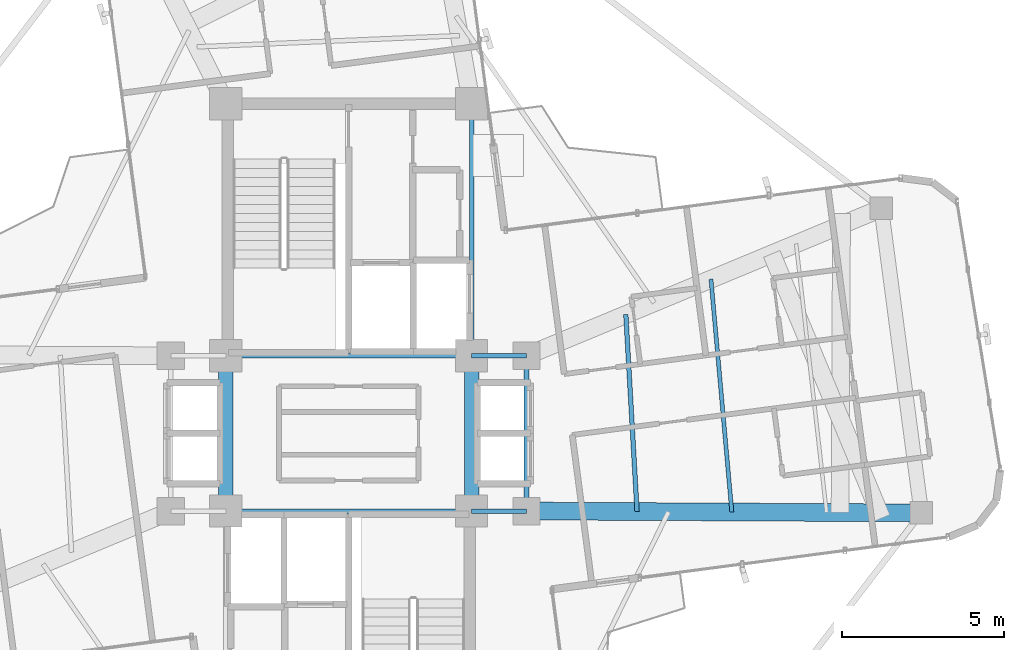
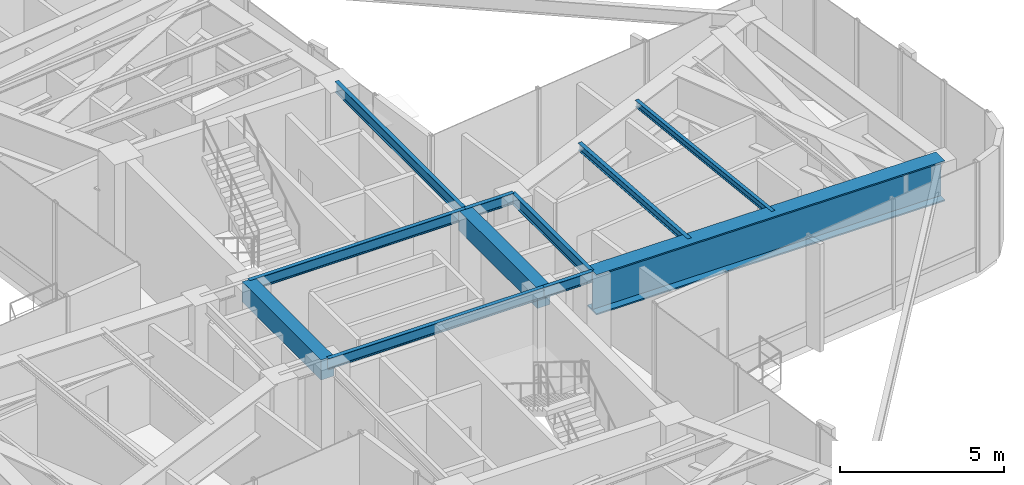
# One storey, part 6 of 18: 11 beams.
"""IFC4 building model written with IfcOpenShell, lengths in metres."""

from ifc_helpers import new_model, si_unit, direction, frame, origin, origin_2d, place, context, subcontext, project, spatial, rectangle, i_section, extrude, source, transform, mapped, material, material_profile, profile_set, type_object, element, save


model = new_model("IFC4")

# Units and contexts
model_context = context("Model", 3, precision=1e-05, world=origin(), true_north=direction((0.0, 1.0)))
body_context = subcontext(model_context, "Body", "Model", "MODEL_VIEW")
ifc_project = project(units=[si_unit("LENGTHUNIT", "METRE"), si_unit("AREAUNIT", "SQUARE_METRE"), si_unit("VOLUMEUNIT", "CUBIC_METRE"), si_unit("PLANEANGLEUNIT", "RADIAN"), si_unit("MASSUNIT", "GRAM", prefix="KILO")], contexts=[model_context])

# Site, building, storey
site_placement = place(None, origin())
site = spatial("IfcSite", under=ifc_project, at=site_placement, CompositionType="ELEMENT")
building_placement = place(site_placement, origin())
building = spatial("IfcBuilding", under=site, at=building_placement, Name="Sahyath Konkavel Grand Hotel", CompositionType="ELEMENT")
storey_placement = place(building_placement, frame((0.0, 0.0, 275.800048828125)))
storey = spatial("IfcBuildingStorey", under=building, at=storey_placement, Name="L77", CompositionType="ELEMENT", Elevation=275.800048828125)

# Beams
ifc_material_1 = material(Name="Steel E350", Category="steel")
ifc_material_profile_1 = material_profile(ifc_material_1, i_section(OverallWidth=0.139892578125, OverallDepth=0.39990234375, WebThickness=0.0087890625, FlangeThickness=0.01611328125, FilletRadius=0.013916015625, at=origin_2d()), Name="ISMB 400")
ifc_profile_set_1 = profile_set([ifc_material_profile_1], Name="Steel E350")
beam_type_1 = type_object("IfcBeamType", Name="BM-ISMB400", PredefinedType="BEAM", material=ifc_profile_set_1)
shared_shape_1 = source(origin(), body_context, "Body", "SweptSolid", [
    extrude(i_section(OverallWidth=0.139892578125, OverallDepth=0.39990234375, WebThickness=0.0087890625, FlangeThickness=0.01611328125, FilletRadius=0.013916015625, at=origin_2d()), origin(), (0.0, 0.0, 1.0), 7.60009765625),
])
for number, where, z_axis, x_axis, name in (
    (1, (-3.800048828125, 2.39990234375, 3.89990234375), (1.0, 0.0, 0.0), (0.0, 1.0, 0.0), "str:bm:L77:NC-S"),
    (2, (-3.800048828125, -2.39990234375, 3.89990234375), (1.0, 0.0, 0.0), (0.0, 1.0, 0.0), "str:bm:L77:SC-N"),
):
    element("IfcBeam", number, at=place(storey_placement, frame(where, z_axis=z_axis, x_axis=x_axis)), inside=storey, type_object=beam_type_1, Name=name, PredefinedType="BEAM", context=body_context, shape_type="MappedRepresentation", body=[
        mapped(shared_shape_1, transform((0.0, 0.0, 0.0), scale=1.0)),
    ])
shared_shape_2 = source(origin(), body_context, "Body", "SweptSolid", [
    extrude(i_section(OverallWidth=0.139892578125, OverallDepth=0.39990234375, WebThickness=0.0087890625, FlangeThickness=0.01611328125, FilletRadius=0.013916015625, at=origin_2d()), origin(), (0.0, 0.0, 1.0), 7.800048828125),
])
beam_1_placement = place(storey_placement, frame((3.800048828125, 2.39990234375, 3.89990234375), z_axis=(0.0, 1.0, 0.0), x_axis=(-1.0, 0.0, 0.0)))
element("IfcBeam", 3, at=beam_1_placement, inside=storey, type_object=beam_type_1, Name="str:bm:L77:NC-E", PredefinedType="BEAM", context=body_context, shape_type="MappedRepresentation", body=[
    mapped(shared_shape_2, transform((0.0, 0.0, 0.0), scale=1.0)),
])
shared_shape_3 = source(origin(), body_context, "Body", "SweptSolid", [
    extrude(i_section(OverallWidth=0.139892578125, OverallDepth=0.39990234375, WebThickness=0.0087890625, FlangeThickness=0.01611328125, FilletRadius=0.013916015625, at=origin_2d()), origin(), (0.0, 0.0, 1.0), 1.699951171875),
])
for number, where, z_axis, x_axis, name in (
    (4, (3.800048828125, 2.39990234375, 3.89990234375), (1.0, 0.0, 0.0), (0.0, 1.0, 0.0), "str:bm:L77:HB-NE"),
    (5, (3.800048828125, -2.39990234375, 3.89990234375), (1.0, 0.0, 0.0), (0.0, 1.0, 0.0), "str:bm:L77:HB-SE"),
):
    element("IfcBeam", number, at=place(storey_placement, frame(where, z_axis=z_axis, x_axis=x_axis)), inside=storey, type_object=beam_type_1, Name=name, PredefinedType="BEAM", context=body_context, shape_type="MappedRepresentation", body=[
        mapped(shared_shape_3, transform((0.0, 0.0, 0.0), scale=1.0)),
    ])
shared_shape_4 = source(origin(), body_context, "Body", "SweptSolid", [
    extrude(i_section(OverallWidth=0.139892578125, OverallDepth=0.39990234375, WebThickness=0.0087890625, FlangeThickness=0.01611328125, FilletRadius=0.013916015625, at=origin_2d()), origin(), (0.0, 0.0, 1.0), 4.7998046875),
])
beam_2_placement = place(storey_placement, frame((5.5, -2.39990234375, 3.89990234375), z_axis=(0.0, 1.0, 0.0), x_axis=(-1.0, 0.0, 0.0)))
element("IfcBeam", 6, at=beam_2_placement, inside=storey, type_object=beam_type_1, Name="str:bm:L77:HB-E", PredefinedType="BEAM", context=body_context, shape_type="MappedRepresentation", body=[
    mapped(shared_shape_4, transform((0.0, 0.0, 0.0), scale=1.0)),
])
ifc_material_2 = material(Name="Concrete C40/50", Category="concrete")
ifc_material_profile_2 = material_profile(ifc_material_2, rectangle(XDim=0.449951171875, YDim=0.75, at=origin_2d()), Name="RC 450x750")
ifc_profile_set_2 = profile_set([ifc_material_profile_2], Name="Concrete C40/50")
beam_type_2 = type_object("IfcBeamType", Name="BM-CB450x750", PredefinedType="LINTEL", material=ifc_profile_set_2)
shared_shape_5 = source(origin(), body_context, "Body", "SweptSolid", [
    extrude(rectangle(XDim=0.449951171875, YDim=0.75, at=origin_2d()), origin(), (0.0, 0.0, 1.0), 4.7998046875),
])
for number, where, z_axis, x_axis, name in (
    (7, (-3.800048828125, -2.39990234375, 3.724853515625), (0.0, 1.0, 0.0), (-1.0, 0.0, 0.0), "L77 Split-Core Coupling Beam West"),
    (8, (3.800048828125, -2.39990234375, 3.724853515625), (0.0, 1.0, 0.0), (-1.0, 0.0, 0.0), "L77 Split-Core Coupling Beam East"),
):
    element("IfcBeam", number, at=place(storey_placement, frame(where, z_axis=z_axis, x_axis=x_axis)), inside=storey, type_object=beam_type_2, Name=name, PredefinedType="LINTEL", context=body_context, shape_type="MappedRepresentation", body=[
        mapped(shared_shape_5, transform((0.0, 0.0, 0.0), scale=1.0)),
    ])
ifc_material_profile_3 = material_profile(ifc_material_1, i_section(OverallWidth=0.139892578125, OverallDepth=0.27490234375, WebThickness=0.00634765625, FlangeThickness=0.0087890625, FilletRadius=0.012939453125, at=origin_2d()), Name="ISLB 275")
ifc_profile_set_3 = profile_set([ifc_material_profile_3], Name="Steel E350")
beam_type_3 = type_object("IfcBeamType", Name="BM-ISLB275", PredefinedType="BEAM", material=ifc_profile_set_3)
shared_shape_6 = source(origin(), body_context, "Body", "SweptSolid", [
    extrude(i_section(OverallWidth=0.139892578125, OverallDepth=0.27490234375, WebThickness=0.00634765625, FlangeThickness=0.0087890625, FilletRadius=0.012939453125, at=origin_2d()), origin(), (0.0, 0.0, 1.0), 6.10302734375),
])
beam_3_placement = place(storey_placement, frame((8.91943359375, -2.41650390625, 3.96240234375), z_axis=(-0.056883465537, 0.99838082481, 0.0), x_axis=(-0.99838082481, -0.056883465537, 0.0)))
element("IfcBeam", 9, at=beam_3_placement, inside=storey, type_object=beam_type_3, Name="L77 Secondary Floor Beam E-1", PredefinedType="BEAM", context=body_context, shape_type="MappedRepresentation", body=[
    mapped(shared_shape_6, transform((0.0, 0.0, 0.0), scale=1.0)),
])
ifc_material_profile_4 = material_profile(ifc_material_1, i_section(OverallWidth=0.125, OverallDepth=0.25, WebThickness=0.0068359375, FlangeThickness=0.012451171875, FilletRadius=0.012939453125, at=origin_2d()), Name="ISMB 250")
ifc_profile_set_4 = profile_set([ifc_material_profile_4], Name="Steel E350")
beam_type_4 = type_object("IfcBeamType", Name="BM-ISMB250", PredefinedType="BEAM", material=ifc_profile_set_4)
shared_shape_7 = source(origin(), body_context, "Body", "SweptSolid", [
    extrude(i_section(OverallWidth=0.125, OverallDepth=0.25, WebThickness=0.0068359375, FlangeThickness=0.012451171875, FilletRadius=0.012939453125, at=origin_2d()), origin(), (0.0, 0.0, 1.0), 7.23046875),
])
beam_4_placement = place(storey_placement, frame((11.8505859375, -2.4306640625, 3.974853515625), z_axis=(-0.089174799421, 0.996015991412, 0.0), x_axis=(-0.996015991412, -0.089174799421, 0.0)))
element("IfcBeam", 10, at=beam_4_placement, inside=storey, type_object=beam_type_4, Name="L77 Secondary Floor Beam E-2", PredefinedType="BEAM", context=body_context, shape_type="MappedRepresentation", body=[
    mapped(shared_shape_7, transform((0.0, 0.0, 0.0), scale=1.0)),
])
ifc_material_3 = material(Name="Steel E450", Category="steel")
ifc_material_profile_5 = material_profile(ifc_material_3, i_section(OverallWidth=0.550048828125, OverallDepth=1.5, WebThickness=0.028076171875, FlangeThickness=0.050048828125, at=origin_2d()), Name="BPG 1500x550")
ifc_profile_set_5 = profile_set([ifc_material_profile_5], Name="Steel E450")
beam_type_5 = type_object("IfcBeamType", Name="BM-BPG1500", PredefinedType="BEAM", material=ifc_profile_set_5)
shared_shape_8 = source(origin(), body_context, "Body", "SweptSolid", [
    extrude(i_section(OverallWidth=0.550048828125, OverallDepth=1.5, WebThickness=0.028076171875, FlangeThickness=0.050048828125, at=origin_2d()), origin(), (0.0, 0.0, 1.0), 12.212646484375),
])
beam_5_placement = place(storey_placement, frame((5.5, -2.39990234375, 3.349853515625), z_axis=(0.999988297706, -0.004837814722, 0.0), x_axis=(0.004837814722, 0.999988297706, 0.0)))
element("IfcBeam", 11, at=beam_5_placement, inside=storey, type_object=beam_type_5, Name="L77 Setback Transfer Girder EA", PredefinedType="BEAM", context=body_context, shape_type="MappedRepresentation", body=[
    mapped(shared_shape_8, transform((0.0, 0.0, 0.0), scale=1.0)),
])

save(model, "model.ifc")
